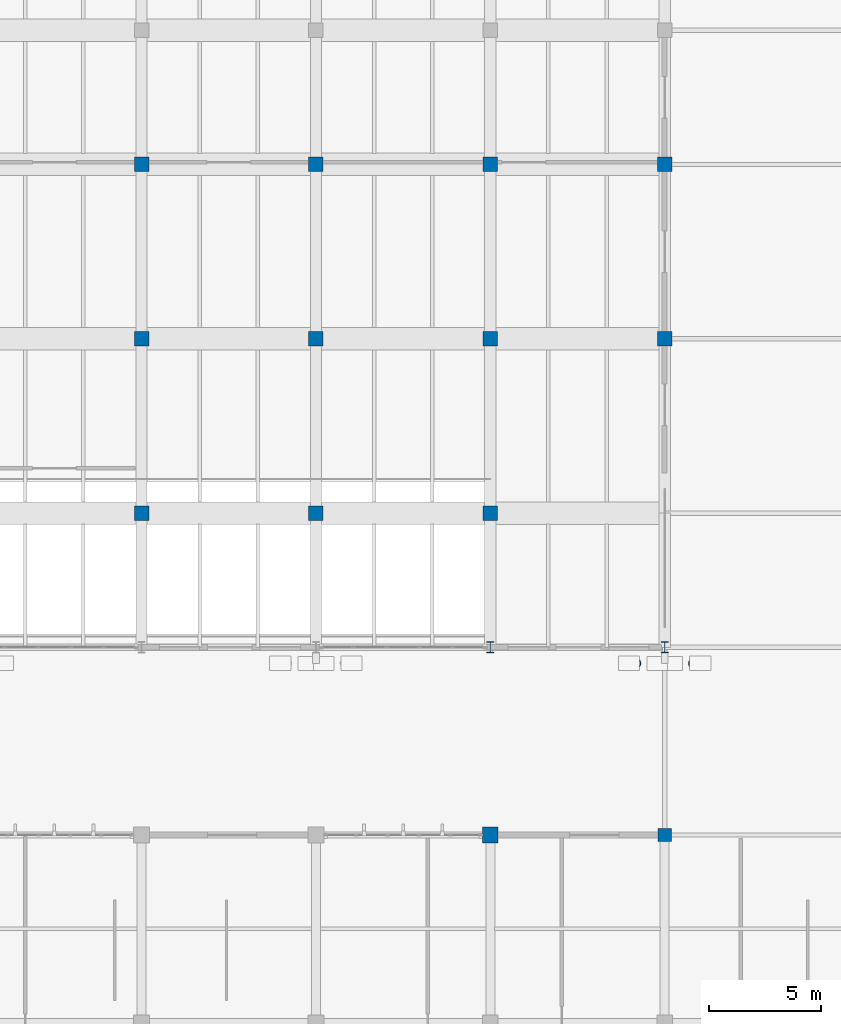
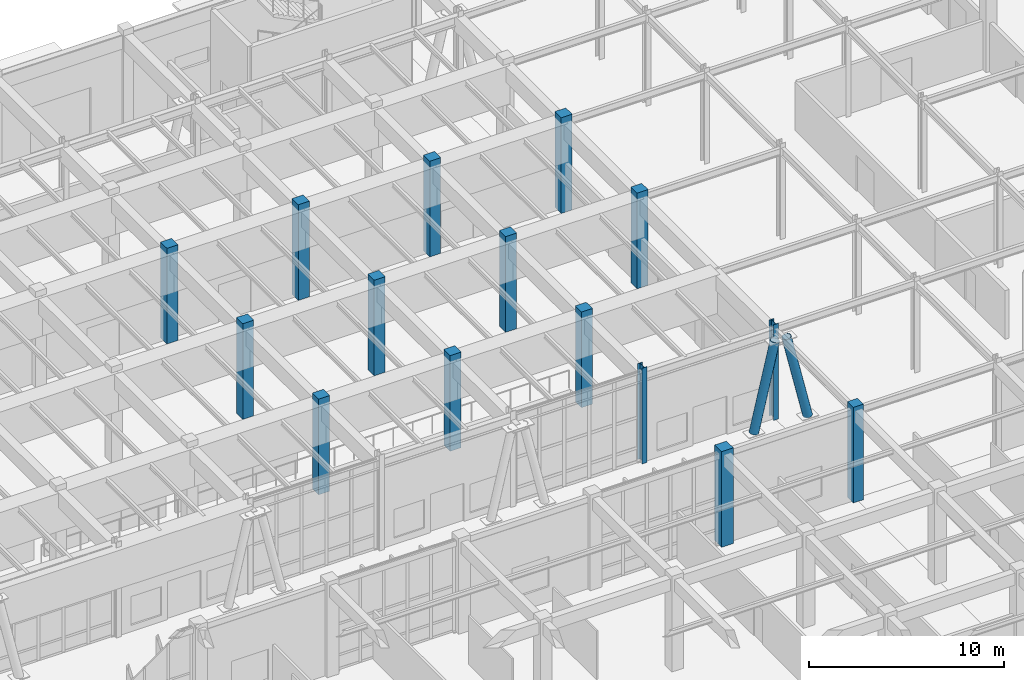
# One storey, part 3 of 110: 17 columns.
"""IFC4 building model written with IfcOpenShell, lengths in metres."""

from ifc_helpers import new_model, si_unit, direction, frame, origin, origin_2d, place, context, subcontext, project, spatial, rectangle, hollow_circle, i_section, extrude, material, material_profile, profile_set, type_object, element, save


model = new_model("IFC4")

# Units and contexts
model_context = context("Model", 3, precision=1e-05, world=origin(), true_north=direction((0.0, 1.0)))
body_context = subcontext(model_context, "Body", "Model", "MODEL_VIEW")
ifc_project = project(units=[si_unit("LENGTHUNIT", "METRE"), si_unit("AREAUNIT", "SQUARE_METRE"), si_unit("VOLUMEUNIT", "CUBIC_METRE"), si_unit("PLANEANGLEUNIT", "RADIAN"), si_unit("MASSUNIT", "GRAM", prefix="KILO")], contexts=[model_context])

# Site, building, storey
site_placement = place(None, origin())
site = spatial("IfcSite", under=ifc_project, at=site_placement, CompositionType="ELEMENT")
building_placement = place(site_placement, origin())
building = spatial("IfcBuilding", under=site, at=building_placement, Name="Tizgana Railside Sports Hall", CompositionType="ELEMENT")
storey_placement = place(building_placement, origin())
storey = spatial("IfcBuildingStorey", under=building, at=storey_placement, Name="L00", CompositionType="ELEMENT", Elevation=0.0)

# Columns
ifc_material_1 = material(Name="Concrete C40/50", Category="concrete")
ifc_material_profile_1 = material_profile(ifc_material_1, rectangle(XDim=0.60009765625, YDim=0.60009765625, at=origin_2d()), Name="RC 600x600")
ifc_profile_set_1 = profile_set([ifc_material_profile_1], Name="Concrete C40/50")
column_type_1 = type_object("IfcColumnType", Name="Concrete Column RC 600x600", PredefinedType="COLUMN", material=ifc_profile_set_1)
column_1_placement = place(storey_placement, frame((54.60009765625, 32.39990234375, 0.0), z_axis=(0.0, 0.0, 1.0), x_axis=(1.0, 0.0, 0.0)))
element("IfcColumn", 1, at=column_1_placement, inside=storey, type_object=column_type_1, Name="L00 COL-0185", PredefinedType="COLUMN", context=body_context, shape_type="SweptSolid", body=[
    extrude(rectangle(XDim=0.60009765625, YDim=0.60009765625, at=origin_2d()), origin(), (0.0, 0.0, 1.0), 6.0),
])
ifc_material_profile_2 = material_profile(ifc_material_1, rectangle(XDim=0.64990234375, YDim=0.64990234375, at=origin_2d()), Name="RC 650x650")
ifc_profile_set_2 = profile_set([ifc_material_profile_2], Name="Concrete C40/50")
column_type_2 = type_object("IfcColumnType", Name="Concrete Column RC 650x650", PredefinedType="COLUMN", material=ifc_profile_set_2)
for number, where, z_axis, x_axis, name in (
    (2, (31.199951171875, 46.800048828125, 0.0), (0.0, 0.0, 1.0), (1.0, 0.0, 0.0), "L00 COL-0082"),
    (3, (31.199951171875, 54.60009765625, 0.0), (0.0, 0.0, 1.0), (1.0, 0.0, 0.0), "L00 COL-0084"),
    (4, (31.199951171875, 62.39990234375, 0.0), (0.0, 0.0, 1.0), (1.0, 0.0, 0.0), "L00 COL-0086"),
    (5, (39.0, 46.800048828125, 0.0), (0.0, 0.0, 1.0), (1.0, 0.0, 0.0), "L00 COL-0106"),
    (6, (39.0, 54.60009765625, 0.0), (0.0, 0.0, 1.0), (1.0, 0.0, 0.0), "L00 COL-0108"),
    (7, (39.0, 62.39990234375, 0.0), (0.0, 0.0, 1.0), (1.0, 0.0, 0.0), "L00 COL-0110"),
    (8, (46.800048828125, 46.800048828125, 0.0), (0.0, 0.0, 1.0), (1.0, 0.0, 0.0), "L00 COL-0130"),
    (9, (46.800048828125, 54.60009765625, 0.0), (0.0, 0.0, 1.0), (1.0, 0.0, 0.0), "L00 COL-0132"),
    (10, (46.800048828125, 62.39990234375, 0.0), (0.0, 0.0, 1.0), (1.0, 0.0, 0.0), "L00 COL-0134"),
    (11, (54.60009765625, 54.60009765625, 0.0), (0.0, 0.0, 1.0), (1.0, 0.0, 0.0), "L00 COL-0156"),
    (12, (54.60009765625, 62.39990234375, 0.0), (0.0, 0.0, 1.0), (1.0, 0.0, 0.0), "L00 COL-0159"),
):
    element("IfcColumn", number, at=place(storey_placement, frame(where, z_axis=z_axis, x_axis=x_axis)), inside=storey, type_object=column_type_2, Name=name, PredefinedType="COLUMN", context=body_context, shape_type="SweptSolid", body=[
        extrude(rectangle(XDim=0.64990234375, YDim=0.64990234375, at=origin_2d()), origin(), (0.0, 0.0, 1.0), 6.0),
    ])
ifc_material_profile_3 = material_profile(ifc_material_1, rectangle(XDim=0.699951171875, YDim=0.699951171875, at=origin_2d()), Name="RC 700x700")
ifc_profile_set_3 = profile_set([ifc_material_profile_3], Name="Concrete C40/50")
column_type_3 = type_object("IfcColumnType", Name="Concrete Column RC 700x700", PredefinedType="COLUMN", material=ifc_profile_set_3)
column_2_placement = place(storey_placement, frame((46.800048828125, 32.39990234375, 0.0), z_axis=(0.0, 0.0, 1.0), x_axis=(1.0, 0.0, 0.0)))
element("IfcColumn", 13, at=column_2_placement, inside=storey, type_object=column_type_3, Name="L00 COL-0717", PredefinedType="COLUMN", context=body_context, shape_type="SweptSolid", body=[
    extrude(rectangle(XDim=0.699951171875, YDim=0.699951171875, at=origin_2d()), origin(), (0.0, 0.0, 1.0), 6.0),
])
ifc_material_2 = material(Name="Steel S355J2", Category="steel")
ifc_material_profile_4 = material_profile(ifc_material_2, hollow_circle(Radius=0.25390625, WallThickness=0.02001953125, at=origin_2d()), Name="CHS 508x20")
ifc_profile_set_4 = profile_set([ifc_material_profile_4], Name="Steel S355J2")
column_type_4 = type_object("IfcColumnType", Name="Steel Column CHS 508x20", PredefinedType="COLUMN", material=ifc_profile_set_4)
for number, where, z_axis, x_axis, name in (
    (14, (53.0048828125, 40.080078125, 0.030029296875), (0.228407815683, 0.0, 0.973565544653), (0.0, 1.0, 0.0), "L00 V-Column COL-0147"),
    (15, (56.195068359375, 40.080078125, 0.030029296875), (-0.228407815683, 0.0, 0.973565544653), (0.0, -1.0, 0.0), "L00 V-Column COL-0149"),
):
    element("IfcColumn", number, at=place(storey_placement, frame(where, z_axis=z_axis, x_axis=x_axis)), inside=storey, type_object=column_type_4, Name=name, PredefinedType="COLUMN", context=body_context, shape_type="SweptSolid", body=[
        extrude(hollow_circle(Radius=0.25390625, WallThickness=0.02001953125, at=origin_2d()), origin(), (0.0, 0.0, 1.0), 5.4951171875),
    ])
ifc_material_profile_5 = material_profile(ifc_material_2, i_section(OverallWidth=0.300048828125, OverallDepth=0.5, WebThickness=0.014404296875, FlangeThickness=0.028076171875, FilletRadius=0.027099609375, at=origin_2d()), Name="HEB 500")
ifc_profile_set_5 = profile_set([ifc_material_profile_5], Name="Steel S355J2")
column_type_5 = type_object("IfcColumnType", Name="Steel Column HEB 500", PredefinedType="COLUMN", material=ifc_profile_set_5)
for number, where, z_axis, x_axis, name in (
    (16, (46.800048828125, 40.800048828125, 0.0), (0.0, 0.0, 1.0), (1.0, 0.0, 0.0), "L00 COL-0126"),
    (17, (54.60009765625, 40.800048828125, 0.0), (0.0, 0.0, 1.0), (1.0, 0.0, 0.0), "L00 COL-0146"),
):
    element("IfcColumn", number, at=place(storey_placement, frame(where, z_axis=z_axis, x_axis=x_axis)), inside=storey, type_object=column_type_5, Name=name, PredefinedType="COLUMN", context=body_context, shape_type="SweptSolid", body=[
        extrude(i_section(OverallWidth=0.300048828125, OverallDepth=0.5, WebThickness=0.014404296875, FlangeThickness=0.028076171875, FilletRadius=0.027099609375, at=origin_2d()), origin(), (0.0, 0.0, 1.0), 6.0),
    ])

save(model, "model.ifc")
